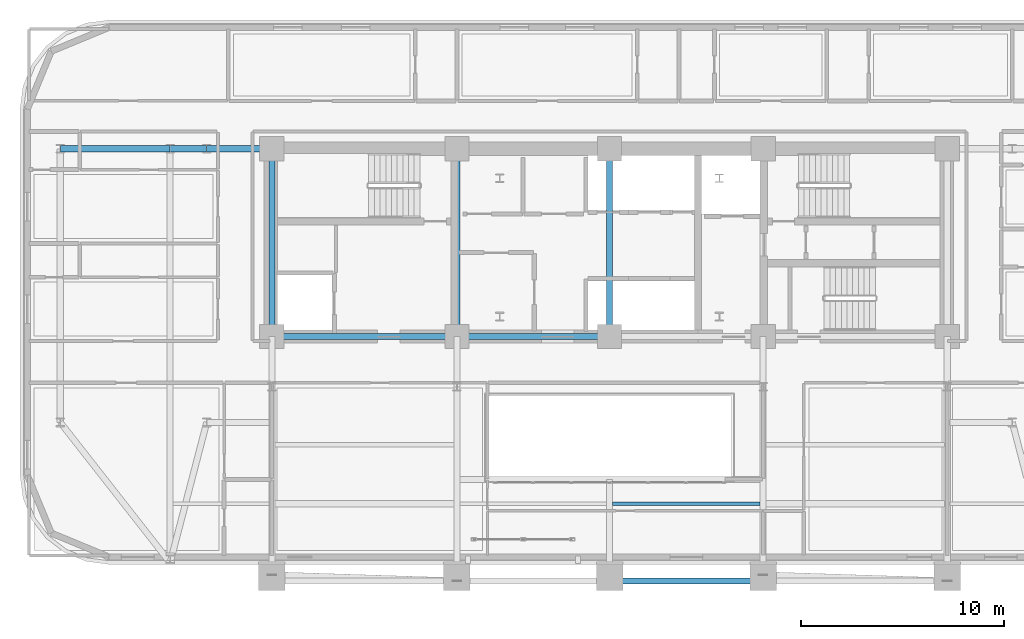
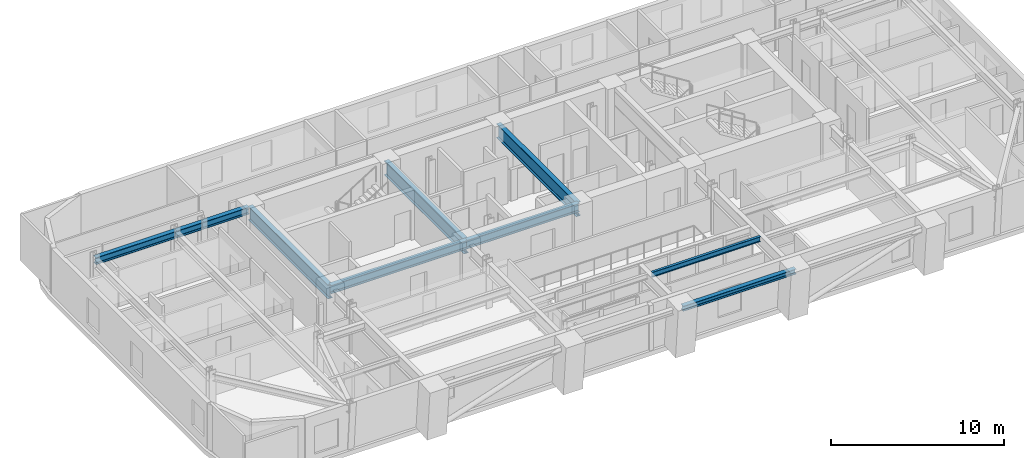
# One storey, part 4 of 15: 10 beams.
"""IFC4 building model written with IfcOpenShell, lengths in metres."""

from ifc_helpers import new_model, si_unit, direction, frame, origin, origin_2d, place, context, subcontext, project, spatial, i_section, extrude, material, material_profile, profile_set, type_object, element, save


model = new_model("IFC4")

# Units and contexts
model_context = context("Model", 3, precision=1e-05, world=origin(), true_north=direction((0.0, 1.0)))
body_context = subcontext(model_context, "Body", "Model", "MODEL_VIEW")
ifc_project = project(units=[si_unit("LENGTHUNIT", "METRE"), si_unit("AREAUNIT", "SQUARE_METRE"), si_unit("VOLUMEUNIT", "CUBIC_METRE"), si_unit("PLANEANGLEUNIT", "RADIAN"), si_unit("MASSUNIT", "GRAM", prefix="KILO")], contexts=[model_context])

# Site, building, storey
site_placement = place(None, origin())
site = spatial("IfcSite", under=ifc_project, at=site_placement, CompositionType="ELEMENT")
building_placement = place(site_placement, origin())
building = spatial("IfcBuilding", under=site, at=building_placement, Name="Zarnavel Station Tower", CompositionType="ELEMENT")
storey_placement = place(building_placement, frame((0.0, 0.0, 111.800048828125)))
storey = spatial("IfcBuildingStorey", under=building, at=storey_placement, Name="L30", CompositionType="ELEMENT", Elevation=111.800048828125)

# Beams
ifc_material_1 = material(Name="Steel S355J2", Category="steel")
ifc_material_profile_1 = material_profile(ifc_material_1, i_section(OverallWidth=0.300048828125, OverallDepth=0.360107421875, WebThickness=0.012451171875, FlangeThickness=0.0224609375, FilletRadius=0.027099609375, at=origin_2d()), Name="HEB360")
ifc_profile_set_1 = profile_set([ifc_material_profile_1], Name="Steel S355J2")
beam_type_1 = type_object("IfcBeamType", Name="EB_HEB360", PredefinedType="SPANDREL", material=ifc_profile_set_1)
beam_1_placement = place(storey_placement, frame((28.800048828125, 15.802978515625, 3.06005859375), z_axis=(1.0, 0.0, 0.0), x_axis=(0.0, 1.0, 0.0)))
element("IfcBeam", 1, at=beam_1_placement, inside=storey, type_object=beam_type_1, Name="L30 South Raked Spandrel 3", PredefinedType="SPANDREL", context=body_context, shape_type="SweptSolid", body=[
    extrude(i_section(OverallWidth=0.300048828125, OverallDepth=0.360107421875, WebThickness=0.012451171875, FlangeThickness=0.0224609375, FilletRadius=0.027099609375, at=origin_2d()), origin(), (0.0, 0.0, 1.0), 7.550048828125),
])
ifc_material_2 = material(Name="Steel S355J2", Category="steel")
ifc_material_profile_2 = material_profile(ifc_material_2, i_section(OverallWidth=0.300048828125, OverallDepth=0.5, WebThickness=0.014404296875, FlangeThickness=0.028076171875, FilletRadius=0.027099609375, at=origin_2d()), Name="HEB500")
ifc_profile_set_2 = profile_set([ifc_material_profile_2], Name="Steel S355J2")
beam_type_2 = type_object("IfcBeamType", Name="FG_HEB500", PredefinedType="USERDEFINED", material=ifc_profile_set_2)
beam_2_placement = place(storey_placement, frame((1.800048828125, 37.050048828125, 2.989990234375), z_axis=(1.0, 0.0, 0.0), x_axis=(0.0, 1.0, 0.0)))
element("IfcBeam", 2, at=beam_2_placement, inside=storey, type_object=beam_type_2, Name="L30 West Wing North Tie 1", ObjectType="GIRDER", PredefinedType="USERDEFINED", context=body_context, shape_type="SweptSolid", body=[
    extrude(i_section(OverallWidth=0.300048828125, OverallDepth=0.5, WebThickness=0.014404296875, FlangeThickness=0.028076171875, FilletRadius=0.027099609375, at=origin_2d()), origin(), (0.0, 0.0, 1.0), 5.39990234375),
])
beam_3_placement = place(storey_placement, frame((7.199951171875, 37.050048828125, 2.989990234375), z_axis=(1.0, 0.0, 0.0), x_axis=(0.0, 1.0, 0.0)))
element("IfcBeam", 3, at=beam_3_placement, inside=storey, type_object=beam_type_2, Name="L30 West Wing North Tie 2", ObjectType="GIRDER", PredefinedType="USERDEFINED", context=body_context, shape_type="SweptSolid", body=[
    extrude(i_section(OverallWidth=0.300048828125, OverallDepth=0.5, WebThickness=0.014404296875, FlangeThickness=0.028076171875, FilletRadius=0.027099609375, at=origin_2d()), origin(), (0.0, 0.0, 1.0), 1.800048828125),
])
beam_4_placement = place(storey_placement, frame((9.0, 37.050048828125, 2.989990234375), z_axis=(1.0, 0.0, 0.0), x_axis=(0.0, 1.0, 0.0)))
element("IfcBeam", 4, at=beam_4_placement, inside=storey, type_object=beam_type_2, Name="L30 West Wing North Tie 3", ObjectType="GIRDER", PredefinedType="USERDEFINED", context=body_context, shape_type="SweptSolid", body=[
    extrude(i_section(OverallWidth=0.300048828125, OverallDepth=0.5, WebThickness=0.014404296875, FlangeThickness=0.028076171875, FilletRadius=0.027099609375, at=origin_2d()), origin(), (0.0, 0.0, 1.0), 3.054931640625),
])
ifc_material_3 = material(Name="Steel S355J2", Category="steel")
ifc_material_profile_3 = material_profile(ifc_material_3, i_section(OverallWidth=0.300048828125, OverallDepth=0.60009765625, WebThickness=0.015380859375, FlangeThickness=0.030029296875, FilletRadius=0.027099609375, at=origin_2d()), Name="HEB600")
ifc_profile_set_3 = profile_set([ifc_material_profile_3], Name="Steel S355J2")
beam_type_3 = type_object("IfcBeamType", Name="FG_HEB600", PredefinedType="USERDEFINED", material=ifc_profile_set_3)
beam_5_placement = place(storey_placement, frame((12.199951171875, 27.820068359375, 2.93994140625), z_axis=(1.0, 0.0, 0.0), x_axis=(0.0, 1.0, 0.0)))
element("IfcBeam", 5, at=beam_5_placement, inside=storey, type_object=beam_type_3, Name="L30 Core Front Coupling Beam 1", ObjectType="GIRDER", PredefinedType="USERDEFINED", context=body_context, shape_type="SweptSolid", body=[
    extrude(i_section(OverallWidth=0.300048828125, OverallDepth=0.60009765625, WebThickness=0.015380859375, FlangeThickness=0.030029296875, FilletRadius=0.027099609375, at=origin_2d()), origin(), (0.0, 0.0, 1.0), 9.10009765625),
])
beam_6_placement = place(storey_placement, frame((21.300048828125, 27.820068359375, 2.93994140625), z_axis=(1.0, 0.0, 0.0), x_axis=(0.0, 1.0, 0.0)))
element("IfcBeam", 6, at=beam_6_placement, inside=storey, type_object=beam_type_3, Name="L30 Core Front Coupling Beam 2", ObjectType="GIRDER", PredefinedType="USERDEFINED", context=body_context, shape_type="SweptSolid", body=[
    extrude(i_section(OverallWidth=0.300048828125, OverallDepth=0.60009765625, WebThickness=0.015380859375, FlangeThickness=0.030029296875, FilletRadius=0.027099609375, at=origin_2d()), origin(), (0.0, 0.0, 1.0), 7.5),
])
ifc_material_4 = material(Name="Steel S355J2", Category="steel")
ifc_material_profile_4 = material_profile(ifc_material_4, i_section(OverallWidth=0.169921875, OverallDepth=0.360107421875, WebThickness=0.008056640625, FlangeThickness=0.0126953125, FilletRadius=0.01806640625, at=origin_2d()), Name="IPE360")
ifc_profile_set_4 = profile_set([ifc_material_profile_4], Name="Steel S355J2")
beam_type_4 = type_object("IfcBeamType", Name="FJ_IPE360", PredefinedType="JOIST", material=ifc_profile_set_4)
beam_7_placement = place(storey_placement, frame((28.945068359375, 19.60205078125, 3.06005859375), z_axis=(1.0, 0.0, 0.0), x_axis=(0.0, 1.0, 0.0)))
element("IfcBeam", 7, at=beam_7_placement, inside=storey, type_object=beam_type_4, Name="L30 Mid-East Joist 1", PredefinedType="JOIST", context=body_context, shape_type="SweptSolid", body=[
    extrude(i_section(OverallWidth=0.169921875, OverallDepth=0.360107421875, WebThickness=0.008056640625, FlangeThickness=0.0126953125, FilletRadius=0.01806640625, at=origin_2d()), origin(), (0.0, 0.0, 1.0), 7.260009765625),
])
ifc_material_5 = material(Name="Steel S460M", Category="steel")
ifc_material_profile_5 = material_profile(ifc_material_5, i_section(OverallWidth=0.302001953125, OverallDepth=1.008056640625, WebThickness=0.02099609375, FlangeThickness=0.0400390625, FilletRadius=0.030029296875, at=origin_2d()), Name="HEM1000")
ifc_profile_set_5 = profile_set([ifc_material_profile_5], Name="Steel S460M")
beam_type_5 = type_object("IfcBeamType", Name="TG_HEM1000", PredefinedType="USERDEFINED", material=ifc_profile_set_5)
for number, where, z_axis, x_axis, name in (
    (8, (12.199951171875, 27.820068359375, 2.73583984375), (0.0, 1.0, 0.0), (-1.0, 0.0, 0.0), "L30 Core Spine Coupling Girder 1"),
    (9, (21.300048828125, 27.820068359375, 2.73583984375), (0.0, 1.0, 0.0), (-1.0, 0.0, 0.0), "L30 Core Spine Coupling Girder 2"),
    (10, (28.800048828125, 27.820068359375, 2.73583984375), (0.0, 1.0, 0.0), (-1.0, 0.0, 0.0), "L30 Core Spine Coupling Girder 3"),
):
    element("IfcBeam", number, at=place(storey_placement, frame(where, z_axis=z_axis, x_axis=x_axis)), inside=storey, type_object=beam_type_5, Name=name, ObjectType="GIRDER", PredefinedType="USERDEFINED", context=body_context, shape_type="SweptSolid", body=[
        extrude(i_section(OverallWidth=0.302001953125, OverallDepth=1.008056640625, WebThickness=0.02099609375, FlangeThickness=0.0400390625, FilletRadius=0.030029296875, at=origin_2d()), origin(), (0.0, 0.0, 1.0), 9.22998046875),
    ])

save(model, "model.ifc")
